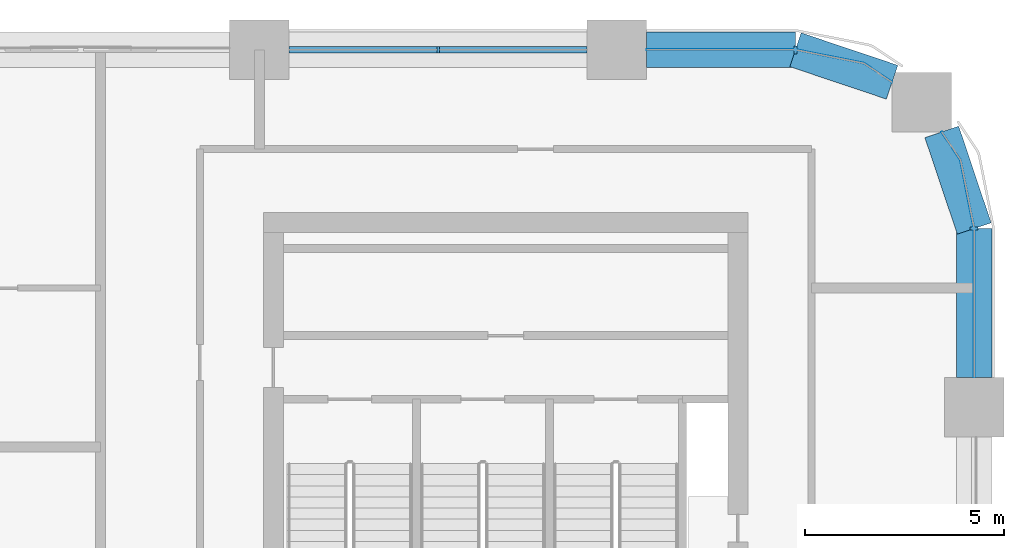
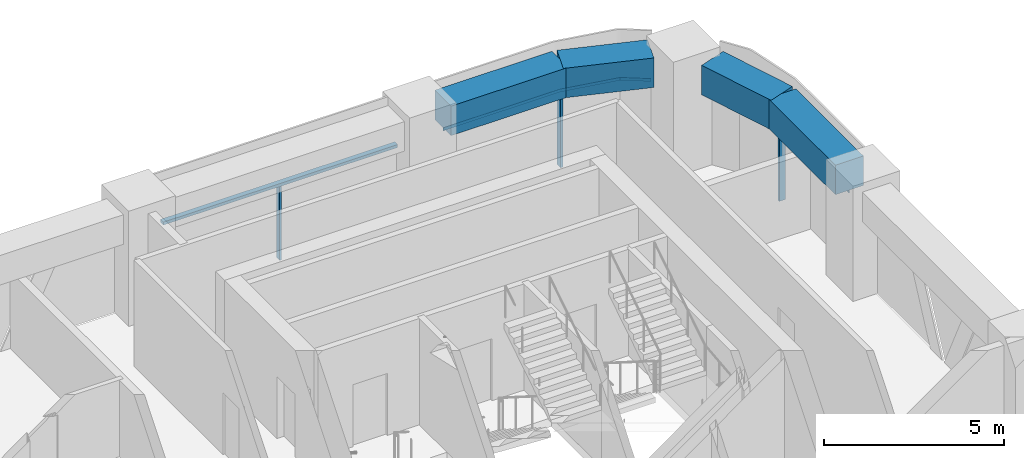
# One storey, part 6 of 14: 6 members, 4 beams, 3 elements without a shape of their own.
"""IFC4 building model written with IfcOpenShell, lengths in metres."""

from ifc_helpers import new_model, si_unit, direction, frame, origin, origin_2d, place, context, subcontext, project, spatial, polyline, rectangle, outline, extrude, material, material_profile, profile_set, type_object, element, aggregate, save


model = new_model("IFC4")

# Units and contexts
model_context = context("Model", 3, precision=1e-05, world=origin(), true_north=direction((0.0, 1.0)))
body_context = subcontext(model_context, "Body", "Model", "MODEL_VIEW")
ifc_project = project(units=[si_unit("LENGTHUNIT", "METRE"), si_unit("AREAUNIT", "SQUARE_METRE"), si_unit("VOLUMEUNIT", "CUBIC_METRE"), si_unit("PLANEANGLEUNIT", "RADIAN"), si_unit("MASSUNIT", "GRAM", prefix="KILO")], contexts=[model_context])

# Site, building, storey
site_placement = place(None, origin())
site = spatial("IfcSite", under=ifc_project, at=site_placement, CompositionType="ELEMENT")
building_placement = place(site_placement, origin())
building = spatial("IfcBuilding", under=site, at=building_placement, Name="Tessera Arch", CompositionType="ELEMENT")
storey_placement = place(building_placement, frame((0.0, 0.0, 173.89990234375)))
storey = spatial("IfcBuildingStorey", under=building, at=storey_placement, Name="L41", CompositionType="ELEMENT", Elevation=173.89990234375)

# Curtain wall, members
ifc_material_1 = material(Name="CW1 curtain wall")
curtain_wall_type_1 = type_object("IfcCurtainWallType", Name="CW1 curtain wall", PredefinedType="NOTDEFINED", material=ifc_material_1)
curtain_wall_1_placement = place(storey_placement, origin())
curtain_wall_1 = element("IfcCurtainWall", 1, at=curtain_wall_1_placement, inside=storey, type_object=curtain_wall_type_1, Name="CW1 curtain wall N54.0/1 L41", PredefinedType="NOTDEFINED")
ifc_material_2 = material(Name="Anodised aluminium pale metal", Category="aluminium")
ifc_material_profile_1 = material_profile(ifc_material_2, rectangle(XDim=0.159912109375, YDim=0.06005859375, at=origin_2d()), Name="AL 60x160")
ifc_profile_set_1 = profile_set([ifc_material_profile_1], Name="Anodised aluminium pale metal")
member_type_1 = type_object("IfcMemberType", Name="CW1 mullion", PredefinedType="MULLION", material=ifc_profile_set_1)
member_1_placement = place(storey_placement, frame((40.5, 54.0, 0.0), z_axis=(0.0, 0.0, 1.0), x_axis=(0.0, -1.0, 0.0)))
member_1 = element("IfcMember", 2, at=member_1_placement, type_object=member_type_1, Name="CW1 mullion N54.0/1 1", PredefinedType="MULLION", context=body_context, shape_type="SweptSolid", body=[
    extrude(rectangle(XDim=0.159912109375, YDim=0.06005859375, at=origin_2d()), origin(), (0.0, 0.0, 1.0), 2.5),
])
ifc_material_3 = material(Name="Anodised aluminium pale metal", Category="aluminium")
ifc_material_profile_2 = material_profile(ifc_material_3, rectangle(XDim=0.159912109375, YDim=0.10009765625, at=origin_2d()), Name="AL 160x100")
ifc_profile_set_2 = profile_set([ifc_material_profile_2], Name="Anodised aluminium pale metal")
member_type_2 = type_object("IfcMemberType", Name="CW1 transom", PredefinedType="USERDEFINED", material=ifc_profile_set_2)
member_2_placement = place(storey_placement, frame((44.25, 54.0, 2.550048828125), z_axis=(-1.0, 0.0, 0.0), x_axis=(0.0, -1.0, 0.0)))
member_2 = element("IfcMember", 3, at=member_2_placement, type_object=member_type_2, Name="CW1 transom N54.0/1 1.1", ObjectType="TRANSOM", PredefinedType="USERDEFINED", context=body_context, shape_type="SweptSolid", body=[
    extrude(rectangle(XDim=0.159912109375, YDim=0.10009765625, at=origin_2d()), origin(), (0.0, 0.0, 1.0), 7.5),
])
aggregate(curtain_wall_1, [member_1, member_2])

# Curtain wall, member
ifc_material_4 = material(Name="CW2 curtain wall")
curtain_wall_type_2 = type_object("IfcCurtainWallType", Name="CW2 curtain wall", PredefinedType="NOTDEFINED", material=ifc_material_4)
curtain_wall_2_placement = place(storey_placement, origin())
curtain_wall_2 = element("IfcCurtainWall", 4, at=curtain_wall_2_placement, inside=storey, type_object=curtain_wall_type_2, Name="CW2 curtain wall E54.27/1 L41", PredefinedType="NOTDEFINED")
ifc_material_5 = material(Name="Anodised aluminium pale metal", Category="aluminium")
ifc_material_profile_3 = material_profile(ifc_material_5, rectangle(XDim=0.199951171875, YDim=0.080078125, at=origin_2d()), Name="AL 80x200")
ifc_profile_set_3 = profile_set([ifc_material_profile_3], Name="Anodised aluminium pale metal")
member_type_3 = type_object("IfcMemberType", Name="CW2 mullion", PredefinedType="MULLION", material=ifc_profile_set_3)
member_3_placement = place(storey_placement, frame((54.0, 49.5, 0.0), z_axis=(0.0, 0.0, 1.0), x_axis=(-1.0, 0.0, 0.0)))
member_3 = element("IfcMember", 5, at=member_3_placement, type_object=member_type_3, Name="CW2 mullion E54.27/1 1", PredefinedType="MULLION", context=body_context, shape_type="SweptSolid", body=[
    extrude(rectangle(XDim=0.199951171875, YDim=0.080078125, at=origin_2d()), origin(), (0.0, 0.0, 1.0), 2.5),
])

curtain_wall_3_placement = place(storey_placement, origin())
curtain_wall_3 = element("IfcCurtainWall", 6, at=curtain_wall_3_placement, inside=storey, type_object=curtain_wall_type_2, Name="CW2 curtain wall N54.0/0 L41", PredefinedType="NOTDEFINED")
member_4_placement = place(storey_placement, frame((49.5, 54.0, 0.0), z_axis=(0.0, 0.0, 1.0), x_axis=(0.0, -1.0, 0.0)))
member_4 = element("IfcMember", 7, at=member_4_placement, type_object=member_type_3, Name="CW2 mullion N54.0/0 1", PredefinedType="MULLION", context=body_context, shape_type="SweptSolid", body=[
    extrude(rectangle(XDim=0.199951171875, YDim=0.080078125, at=origin_2d()), origin(), (0.0, 0.0, 1.0), 2.5),
])

# Member
ifc_material_6 = material(Name="Anodised aluminium pale metal", Category="aluminium")
ifc_material_profile_4 = material_profile(ifc_material_6, rectangle(XDim=0.199951171875, YDim=0.10009765625, at=origin_2d()), Name="AL 200x100")
ifc_profile_set_4 = profile_set([ifc_material_profile_4], Name="Anodised aluminium pale metal")
member_type_4 = type_object("IfcMemberType", Name="CW2 transom", PredefinedType="USERDEFINED", material=ifc_profile_set_4)
member_5_placement = place(storey_placement, frame((0.0, 0.0, 2.5)))
member_5 = element("IfcMember", 8, at=member_5_placement, type_object=member_type_4, Name="CW2 transom E54.27/1 1", ObjectType="TRANSOM", PredefinedType="USERDEFINED", context=body_context, shape_type="SweptSolid", body=[
    extrude(outline(polyline([(53.989990234375, 49.4990234375), (53.989990234375, 45.75), (54.010009765625, 45.75), (54.010009765625, 49.5009765625), (53.6669921875, 51.22607421875), (53.19140625, 51.9375), (53.1748046875, 51.926513671875), (53.648193359375, 51.21826171875), (53.989990234375, 49.4990234375)])), origin(), (0.0, 0.0, 1.0), 0.10009765625),
])

aggregate(curtain_wall_2, [member_3, member_5])

member_6_placement = place(storey_placement, frame((0.0, 0.0, 2.5)))
member_6 = element("IfcMember", 9, at=member_6_placement, type_object=member_type_4, Name="CW2 transom N54.0/0 1", ObjectType="TRANSOM", PredefinedType="USERDEFINED", context=body_context, shape_type="SweptSolid", body=[
    extrude(outline(polyline([(51.21826171875, 53.648193359375), (51.926513671875, 53.1748046875), (51.9375, 53.19140625), (51.22607421875, 53.6669921875), (49.5009765625, 54.010009765625), (45.75, 54.010009765625), (45.75, 53.989990234375), (49.4990234375, 53.989990234375), (51.21826171875, 53.648193359375)])), origin(), (0.0, 0.0, 1.0), 0.10009765625),
])

aggregate(curtain_wall_3, [member_4, member_6])

# Beams
ifc_material_7 = material(Name="Concrete C70/85", Category="concrete")
ifc_material_profile_5 = material_profile(ifc_material_7, rectangle(XDim=0.89990234375, YDim=1.0, at=origin_2d()), Name="RC spandrel beam 900 x 1000 Concrete C70/85")
ifc_profile_set_5 = profile_set([ifc_material_profile_5], Name="Concrete C70/85")
beam_type = type_object("IfcBeamType", Name="RC spandrel beam 900 x 1000 Concrete C70/85", PredefinedType="BEAM", material=ifc_profile_set_5)
beam_1_placement = place(storey_placement, frame((54.0, 45.75, 3.10009765625), z_axis=(0.0, 1.0, 0.0), x_axis=(-1.0, 0.0, 0.0)))
element("IfcBeam", 10, at=beam_1_placement, inside=storey, type_object=beam_type, Name="Spandrel beam L41 E54.27/1.1", PredefinedType="BEAM", context=body_context, shape_type="SweptSolid", body=[
    extrude(rectangle(XDim=0.89990234375, YDim=1.0, at=origin_2d()), origin(), (0.0, 0.0, 1.0), 3.75),
])
for number, where, z_axis, x_axis, name in (
    (11, (54.0, 49.5, 3.10009765625), (-0.31842525032, 0.947947973234, 0.0), (-0.947947973234, -0.31842525032, 0.0), "Spandrel beam L41 E54.27/1.2"),
    (12, (51.931884765625, 53.18310546875, 3.10009765625), (-0.947947973234, 0.31842525032, 0.0), (-0.31842525032, -0.947947973234, 0.0), "Spandrel beam L41 N54.0/0.1"),
):
    element("IfcBeam", number, at=place(storey_placement, frame(where, z_axis=z_axis, x_axis=x_axis)), inside=storey, type_object=beam_type, Name=name, PredefinedType="BEAM", context=body_context, shape_type="SweptSolid", body=[
        extrude(rectangle(XDim=0.89990234375, YDim=1.0, at=origin_2d()), origin(), (0.0, 0.0, 1.0), 2.5654296875),
    ])
beam_2_placement = place(storey_placement, frame((49.5, 54.0, 3.10009765625), z_axis=(-1.0, 0.0, 0.0), x_axis=(0.0, -1.0, 0.0)))
element("IfcBeam", 13, at=beam_2_placement, inside=storey, type_object=beam_type, Name="Spandrel beam L41 N54.0/0.2", PredefinedType="BEAM", context=body_context, shape_type="SweptSolid", body=[
    extrude(rectangle(XDim=0.89990234375, YDim=1.0, at=origin_2d()), origin(), (0.0, 0.0, 1.0), 3.75),
])

save(model, "model.ifc")
